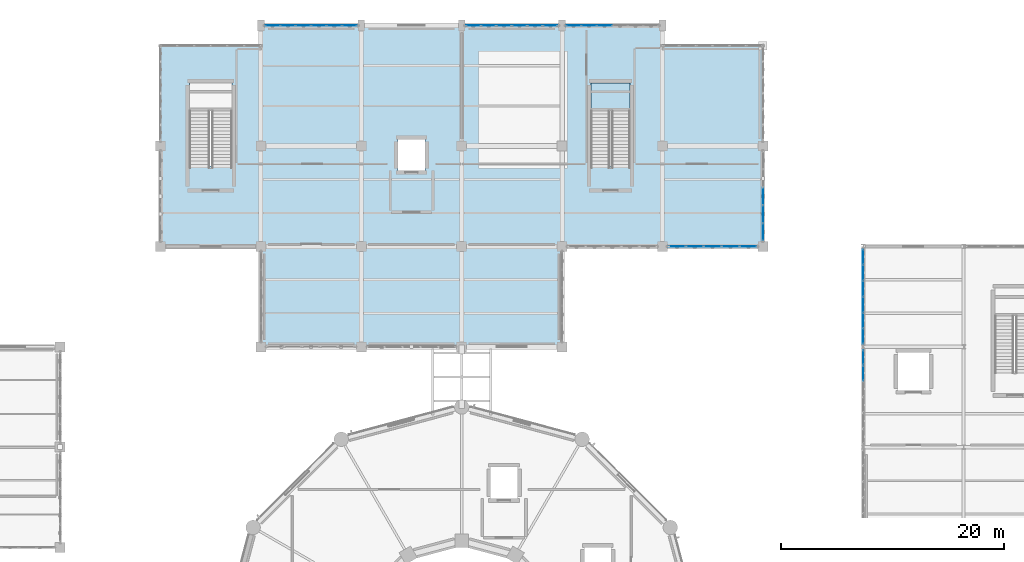
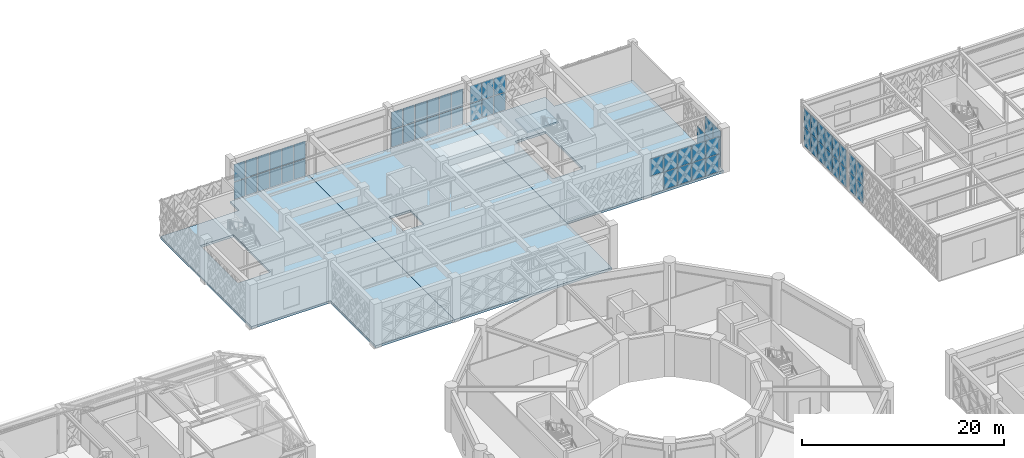
# One storey, part 133 of 166: 60 plates, 4 slabs, 8 elements without a shape of their own.
"""IFC4 building model written with IfcOpenShell, lengths in metres."""

import ifcopenshell
import ifcopenshell.guid

model = None  # the IFC model being written
_history = None  # IfcOwnerHistory: only IFC2X3 demands one
_inside = {}  # id of a spatial element -> (the spatial element, [elements in it])
_under = {}  # id of a project, library or spatial element -> (it, [spatial elements below it])
_declared = {}  # id of a project -> (the project, [libraries it declares])
_typed = {}  # id of a type object -> (the type object, [elements of that type])
_made_of = {}  # id of a material, layer set ... -> (it, [elements and type objects made of it])


def new_model(schema):
    """Start an empty IFC model of exactly this schema.

    Asked for "IFC4X3", IfcOpenShell would pick the latest addendum, in which some entities
    have other attributes; the version numbers below select the first issue.
    IFC2X3 requires an IfcOwnerHistory on every rooted entity: one is made here for all.
    """
    global model, _history
    if schema == "IFC4X3":
        model = ifcopenshell.file(schema_version=(4, 3, 0, 0))
    else:
        model = ifcopenshell.file(schema=schema)
    _inside.clear()
    _under.clear()
    _declared.clear()
    _typed.clear()
    _made_of.clear()
    _history = None
    if model.schema == "IFC2X3":
        org = make("IfcOrganization", Name="unknown")
        user = make(
            "IfcPersonAndOrganization",
            ThePerson=make("IfcPerson", FamilyName="unknown"),
            TheOrganization=org,
        )
        app = make(
            "IfcApplication",
            ApplicationDeveloper=org,
            Version="unknown",
            ApplicationFullName="unknown",
            ApplicationIdentifier="unknown",
        )
        _history = make(
            "IfcOwnerHistory",
            OwningUser=user,
            OwningApplication=app,
            ChangeAction="ADDED",
            CreationDate=0,
        )
    return model


def make(cls, **values):
    """One entity of the class cls with the attributes given. An attribute that is None is left unset."""
    return model.create_entity(
        cls, **{name: value for name, value in values.items() if value is not None}
    )


def rooted(cls, **values):
    """An entity with a GlobalId (a new one), such as an element, a storey or a relation."""
    return make(cls, GlobalId=ifcopenshell.guid.new(), OwnerHistory=_history, **values)


def si_unit(unit_type, name, prefix=None):
    """IfcSIUnit, for example si_unit("LENGTHUNIT", "METRE", prefix="MILLI")."""
    return make("IfcSIUnit", UnitType=unit_type, Prefix=prefix, Name=name)


def assignment(units):
    """IfcUnitAssignment: the units of a project."""
    return None if units is None else make("IfcUnitAssignment", Units=units)


def point(xyz):
    """IfcCartesianPoint."""
    return None if xyz is None else make("IfcCartesianPoint", Coordinates=xyz)


def direction(xyz):
    """IfcDirection."""
    return None if xyz is None else make("IfcDirection", DirectionRatios=xyz)


def frame(location, z_axis=None, x_axis=None):
    """IfcAxis2Placement3D, a coordinate frame: its origin and axes. An axis left out is left unset."""
    return make(
        "IfcAxis2Placement3D",
        Location=point(location),
        Axis=direction(z_axis),
        RefDirection=direction(x_axis),
    )


def frame_2d(location, x_axis=None):
    """IfcAxis2Placement2D, a coordinate frame in the plane: its origin and x axis."""
    return make(
        "IfcAxis2Placement2D", Location=point(location), RefDirection=direction(x_axis)
    )


def origin():
    """The frame at (0, 0, 0) with its axes left unset."""
    return frame((0.0, 0.0, 0.0))


def origin_2d():
    """The frame at (0, 0) in the plane with its x axis left unset."""
    return frame_2d((0.0, 0.0))


def place(relative_to, where):
    """IfcLocalPlacement: puts the frame where relative to a parent placement (None: the world)."""
    return make(
        "IfcLocalPlacement", PlacementRelTo=relative_to, RelativePlacement=where
    )


def context(
    kind, dimensions, precision=None, world=None, true_north=None, identifier=None
):
    """IfcGeometricRepresentationContext, for example the 3D "Model" context."""
    return make(
        "IfcGeometricRepresentationContext",
        ContextIdentifier=identifier,
        ContextType=kind,
        CoordinateSpaceDimension=dimensions,
        Precision=precision,
        WorldCoordinateSystem=world,
        TrueNorth=true_north,
    )


def subcontext(parent, identifier, kind, view, scale=None):
    """IfcGeometricRepresentationSubContext, for example "Body" below "Model"."""
    return make(
        "IfcGeometricRepresentationSubContext",
        ContextIdentifier=identifier,
        ContextType=kind,
        ParentContext=parent,
        TargetScale=scale,
        TargetView=view,
    )


def project(units=None, contexts=None):
    """IfcProject with its units and contexts."""
    return rooted(
        "IfcProject",
        Name="project",
        RepresentationContexts=contexts,
        UnitsInContext=assignment(units),
    )


def spatial(cls, under=None, at=None, **own):
    """A site, building, storey or space (cls), placed at a placement, below another one or the project."""
    s = rooted(cls, ObjectPlacement=at, **own)
    if under is not None:
        _under.setdefault(under.id(), (under, []))[1].append(s)
    return s


def polyline(points):
    """IfcPolyline through the points."""
    return make("IfcPolyline", Points=[point(p) for p in points])


def profile(cls, at=None, kind="AREA", **sizes):
    """A parametric profile (cls). Its sizes go by their IFC names, for example OverallWidth=200.0."""
    return make(cls, ProfileType=kind, Position=at, **sizes)


def rectangle(**sizes):
    """IfcRectangleProfileDef."""
    return profile("IfcRectangleProfileDef", **sizes)


def outline(outer, holes=None, kind="AREA"):
    """IfcArbitraryClosedProfileDef: a profile drawn as a closed curve; with holes, ...WithVoids."""
    if holes is None:
        return make("IfcArbitraryClosedProfileDef", ProfileType=kind, OuterCurve=outer)
    return make(
        "IfcArbitraryProfileDefWithVoids",
        ProfileType=kind,
        OuterCurve=outer,
        InnerCurves=holes,
    )


def extrude(swept, where, along, depth):
    """IfcExtrudedAreaSolid: the profile swept, set in the frame where, extruded along a direction by depth."""
    return make(
        "IfcExtrudedAreaSolid",
        SweptArea=swept,
        Position=where,
        ExtrudedDirection=direction(along),
        Depth=depth,
    )


def shape(context_of_items, identifier, shape_type, items):
    """IfcShapeRepresentation: the items that make up one representation, for example the "Body"."""
    return make(
        "IfcShapeRepresentation",
        ContextOfItems=context_of_items,
        RepresentationIdentifier=identifier,
        RepresentationType=shape_type,
        Items=items,
    )


def material(Name=None, Category=None):
    """IfcMaterial."""
    return make("IfcMaterial", Name=Name, Category=Category)


def layer(
    of_material, thickness, ventilated=None, Name=None, Category=None, Priority=None
):
    """IfcMaterialLayer: one layer of a wall or slab, of a material (None: an air gap)."""
    return make(
        "IfcMaterialLayer",
        Material=of_material,
        LayerThickness=thickness,
        IsVentilated=ventilated,
        Name=Name,
        Category=Category,
        Priority=Priority,
    )


def layer_set(layers, Name=None):
    """IfcMaterialLayerSet."""
    return make("IfcMaterialLayerSet", MaterialLayers=layers, LayerSetName=Name)


def made_of(thing, what):
    """Note that an element or type object is made of a material, layer set ...; save() writes the relation."""
    if what is not None:
        _made_of.setdefault(what.id(), (what, []))[1].append(thing)
    return thing


def type_object(cls, material=None, **own):
    """A type object (cls), such as IfcWallType, which elements share."""
    return made_of(rooted(cls, **own), material)


def element(
    cls,
    number,
    at=None,
    inside=None,
    cuts=None,
    type_object=None,
    material=None,
    context=None,
    identifier="Body",
    shape_type=None,
    held_by="IfcProductDefinitionShape",
    body=None,
    shapes=None,
    **own,
):
    """One element of the class cls, such as IfcWall. Its Tag is "e" and its number.

    at: its placement. inside: the storey or other place that contains it. cuts: it is an
    opening in that element (IfcRelVoidsElement). A single representation is given by context,
    identifier, shape_type and body (its items); several are given by shapes. held_by: the class
    of the entity that holds the representations. save() writes the other relations.
    """
    e = rooted(cls, Tag="e%d" % number, ObjectPlacement=at, **own)
    if body is not None:
        shapes = [shape(context, identifier, shape_type, body)]
    if shapes is not None:
        e.Representation = make(held_by, Representations=shapes)
    if inside is not None:
        _inside.setdefault(inside.id(), (inside, []))[1].append(e)
    if cuts is not None:
        rooted(
            "IfcRelVoidsElement", RelatingBuildingElement=cuts, RelatedOpeningElement=e
        )
    if type_object is not None:
        _typed.setdefault(type_object.id(), (type_object, []))[1].append(e)
    return made_of(e, material)


def aggregate(whole, parts):
    """IfcRelAggregates: a whole, such as a stair, and the parts it consists of."""
    return rooted("IfcRelAggregates", RelatingObject=whole, RelatedObjects=parts)


def save(model, path):
    """Write the relations noted so far, then the file.

    IfcRelAggregates (storeys below a building ...), IfcRelContainedInSpatialStructure (elements
    in a storey), IfcRelDefinesByType, IfcRelAssociatesMaterial and IfcRelDeclares: one each for
    every whole, place, type object, material and project.
    """
    for whole, parts in _under.values():
        aggregate(whole, parts)
    for where, things in _inside.values():
        rooted(
            "IfcRelContainedInSpatialStructure",
            RelatedElements=things,
            RelatingStructure=where,
        )
    for kind, things in _typed.values():
        rooted("IfcRelDefinesByType", RelatedObjects=things, RelatingType=kind)
    for what, things in _made_of.values():
        rooted("IfcRelAssociatesMaterial", RelatedObjects=things, RelatingMaterial=what)
    for by, libraries in _declared.values():
        rooted("IfcRelDeclares", RelatingContext=by, RelatedDefinitions=libraries)
    model.write(path)


model = new_model("IFC4")

# Units and contexts
model_context = context("Model", 3, precision=1e-05, world=origin(), true_north=direction((0.0, 1.0)))
body_context = subcontext(model_context, "Body", "Model", "MODEL_VIEW")
ifc_project = project(units=[si_unit("LENGTHUNIT", "METRE"), si_unit("AREAUNIT", "SQUARE_METRE"), si_unit("VOLUMEUNIT", "CUBIC_METRE"), si_unit("PLANEANGLEUNIT", "RADIAN"), si_unit("MASSUNIT", "GRAM", prefix="KILO")], contexts=[model_context])

# Site, building, storey
site_placement = place(None, origin())
site = spatial("IfcSite", under=ifc_project, at=site_placement, CompositionType="ELEMENT")
building_placement = place(site_placement, origin())
building = spatial("IfcBuilding", under=site, at=building_placement, Name="Haizhuo Lancet Aquarium", CompositionType="ELEMENT")
storey_placement = place(building_placement, frame((0.0, 0.0, 5.39990234375)))
storey = spatial("IfcBuildingStorey", under=building, at=storey_placement, Name="L01", CompositionType="ELEMENT", Elevation=5.39990234375)

# Curtain wall, plates
ifc_material_1 = material(Name="Aluminium 6063-T6", Category="aluminium")
curtain_wall_type_1 = type_object("IfcCurtainWallType", Name="CWD-8310x4390", PredefinedType="NOTDEFINED", material=ifc_material_1)
curtain_wall_1_placement = place(storey_placement, origin())
curtain_wall_1 = element("IfcCurtainWall", 1, at=curtain_wall_1_placement, inside=storey, type_object=curtain_wall_type_1, Name="L01 curtain wall CW-V5-L01-133", PredefinedType="NOTDEFINED")
ifc_material_2 = material(Name="Laminated Low-E Glass", Category="glass")
ifc_layer_1 = layer(ifc_material_2, 0.028076171875)
ifc_layer_set_1 = layer_set([ifc_layer_1], Name="Laminated Low-E Glass")
plate_type_1 = type_object("IfcPlateType", Name="CW-PNL-1", PredefinedType="CURTAIN_PANEL", material=ifc_layer_set_1)
plate_1_placement = place(storey_placement, frame((10.053955078125, 55.800048828125, 0.06494140625), z_axis=(0.0, 0.0, 1.0), x_axis=(1.0, 0.0, 0.0)))
plate_1 = element("IfcPlate", 2, at=plate_1_placement, type_object=plate_type_1, Name="CWD-83x43 panel 1.1", PredefinedType="CURTAIN_PANEL", context=body_context, shape_type="SweptSolid", body=[
    extrude(rectangle(XDim=1.2880859375, YDim=0.028076171875, at=origin_2d()), origin(), (0.0, 0.0, 1.0), 2.097900390625),
])
plate_2_placement = place(storey_placement, frame((10.053955078125, 55.800048828125, 2.2275390625), z_axis=(0.0, 0.0, 1.0), x_axis=(1.0, 0.0, 0.0)))
plate_2 = element("IfcPlate", 3, at=plate_2_placement, type_object=plate_type_1, Name="CWD-83x43 panel 1.2", PredefinedType="CURTAIN_PANEL", context=body_context, shape_type="SweptSolid", body=[
    extrude(rectangle(XDim=1.2880859375, YDim=0.028076171875, at=origin_2d()), origin(), (0.0, 0.0, 1.0), 2.096923828125),
])
plate_3_placement = place(storey_placement, frame((11.422119140625, 55.800048828125, 0.06494140625), z_axis=(0.0, 0.0, 1.0), x_axis=(1.0, 0.0, 0.0)))
plate_3 = element("IfcPlate", 4, at=plate_3_placement, type_object=plate_type_1, Name="CWD-83x43 panel 2.1", PredefinedType="CURTAIN_PANEL", context=body_context, shape_type="SweptSolid", body=[
    extrude(rectangle(XDim=1.320068359375, YDim=0.028076171875, at=origin_2d()), origin(), (0.0, 0.0, 1.0), 2.097900390625),
])
plate_4_placement = place(storey_placement, frame((11.422119140625, 55.800048828125, 2.2275390625), z_axis=(0.0, 0.0, 1.0), x_axis=(1.0, 0.0, 0.0)))
plate_4 = element("IfcPlate", 5, at=plate_4_placement, type_object=plate_type_1, Name="CWD-83x43 panel 2.2", PredefinedType="CURTAIN_PANEL", context=body_context, shape_type="SweptSolid", body=[
    extrude(rectangle(XDim=1.320068359375, YDim=0.028076171875, at=origin_2d()), origin(), (0.0, 0.0, 1.0), 2.096923828125),
])
plate_5_placement = place(storey_placement, frame((12.80810546875, 55.800048828125, 0.06494140625), z_axis=(0.0, 0.0, 1.0), x_axis=(1.0, 0.0, 0.0)))
plate_5 = element("IfcPlate", 6, at=plate_5_placement, type_object=plate_type_1, Name="CWD-83x43 panel 3.1", PredefinedType="CURTAIN_PANEL", context=body_context, shape_type="SweptSolid", body=[
    extrude(rectangle(XDim=1.320068359375, YDim=0.028076171875, at=origin_2d()), origin(), (0.0, 0.0, 1.0), 2.097900390625),
])
plate_6_placement = place(storey_placement, frame((12.80810546875, 55.800048828125, 2.2275390625), z_axis=(0.0, 0.0, 1.0), x_axis=(1.0, 0.0, 0.0)))
plate_6 = element("IfcPlate", 7, at=plate_6_placement, type_object=plate_type_1, Name="CWD-83x43 panel 3.2", PredefinedType="CURTAIN_PANEL", context=body_context, shape_type="SweptSolid", body=[
    extrude(rectangle(XDim=1.320068359375, YDim=0.028076171875, at=origin_2d()), origin(), (0.0, 0.0, 1.0), 2.096923828125),
])
aggregate(curtain_wall_1, [plate_1, plate_2, plate_3, plate_4, plate_5, plate_6])

curtain_wall_type_2 = type_object("IfcCurtainWallType", Name="CWD-8010x4390", PredefinedType="NOTDEFINED", material=ifc_material_1)
curtain_wall_2_placement = place(storey_placement, origin())
curtain_wall_2 = element("IfcCurtainWall", 8, at=curtain_wall_2_placement, inside=storey, type_object=curtain_wall_type_2, Name="L01 curtain wall CW-V5-L01-137", PredefinedType="NOTDEFINED")
plate_7_placement = place(storey_placement, frame((25.68505859375, 36.0, 0.07470703125), z_axis=(0.0, 0.0, 1.0), x_axis=(-1.0, 0.0, 0.0)))
plate_7 = element("IfcPlate", 9, at=plate_7_placement, type_object=plate_type_1, Name="CWD-80x43 panel 1.1", PredefinedType="CURTAIN_PANEL", context=body_context, shape_type="SweptSolid", body=[
    extrude(rectangle(XDim=1.489013671875, YDim=0.028076171875, at=origin_2d()), origin(), (0.0, 0.0, 1.0), 2.0830078125),
])
plate_8_placement = place(storey_placement, frame((25.68505859375, 36.0, 2.232666015625), z_axis=(0.0, 0.0, 1.0), x_axis=(-1.0, 0.0, 0.0)))
plate_8 = element("IfcPlate", 10, at=plate_8_placement, type_object=plate_type_1, Name="CWD-80x43 panel 1.2", PredefinedType="CURTAIN_PANEL", context=body_context, shape_type="SweptSolid", body=[
    extrude(rectangle(XDim=1.489013671875, YDim=0.028076171875, at=origin_2d()), origin(), (0.0, 0.0, 1.0), 2.0830078125),
])
plate_9_placement = place(storey_placement, frame((24.10205078125, 36.0, 0.07470703125), z_axis=(0.0, 0.0, 1.0), x_axis=(-1.0, 0.0, 0.0)))
plate_9 = element("IfcPlate", 11, at=plate_9_placement, type_object=plate_type_1, Name="CWD-80x43 panel 2.1", PredefinedType="CURTAIN_PANEL", context=body_context, shape_type="SweptSolid", body=[
    extrude(rectangle(XDim=1.527099609375, YDim=0.028076171875, at=origin_2d()), origin(), (0.0, 0.0, 1.0), 2.0830078125),
])
plate_10_placement = place(storey_placement, frame((24.10205078125, 36.0, 2.232666015625), z_axis=(0.0, 0.0, 1.0), x_axis=(-1.0, 0.0, 0.0)))
plate_10 = element("IfcPlate", 12, at=plate_10_placement, type_object=plate_type_1, Name="CWD-80x43 panel 2.2", PredefinedType="CURTAIN_PANEL", context=body_context, shape_type="SweptSolid", body=[
    extrude(rectangle(XDim=1.527099609375, YDim=0.028076171875, at=origin_2d()), origin(), (0.0, 0.0, 1.0), 2.0830078125),
])
plate_11_placement = place(storey_placement, frame((22.5, 36.0, 0.07470703125), z_axis=(0.0, 0.0, 1.0), x_axis=(-1.0, 0.0, 0.0)))
plate_11 = element("IfcPlate", 13, at=plate_11_placement, type_object=plate_type_1, Name="CWD-80x43 panel 3.1", PredefinedType="CURTAIN_PANEL", context=body_context, shape_type="SweptSolid", body=[
    extrude(rectangle(XDim=1.527099609375, YDim=0.028076171875, at=origin_2d()), origin(), (0.0, 0.0, 1.0), 2.0830078125),
])
plate_12_placement = place(storey_placement, frame((22.5, 36.0, 2.232666015625), z_axis=(0.0, 0.0, 1.0), x_axis=(-1.0, 0.0, 0.0)))
plate_12 = element("IfcPlate", 14, at=plate_12_placement, type_object=plate_type_1, Name="CWD-80x43 panel 3.2", PredefinedType="CURTAIN_PANEL", context=body_context, shape_type="SweptSolid", body=[
    extrude(rectangle(XDim=1.527099609375, YDim=0.028076171875, at=origin_2d()), origin(), (0.0, 0.0, 1.0), 2.0830078125),
])
plate_13_placement = place(storey_placement, frame((20.89794921875, 36.0, 0.07470703125), z_axis=(0.0, 0.0, 1.0), x_axis=(-1.0, 0.0, 0.0)))
plate_13 = element("IfcPlate", 15, at=plate_13_placement, type_object=plate_type_1, Name="CWD-80x43 panel 4.1", PredefinedType="CURTAIN_PANEL", context=body_context, shape_type="SweptSolid", body=[
    extrude(rectangle(XDim=1.527099609375, YDim=0.028076171875, at=origin_2d()), origin(), (0.0, 0.0, 1.0), 2.0830078125),
])
plate_14_placement = place(storey_placement, frame((20.89794921875, 36.0, 2.232666015625), z_axis=(0.0, 0.0, 1.0), x_axis=(-1.0, 0.0, 0.0)))
plate_14 = element("IfcPlate", 16, at=plate_14_placement, type_object=plate_type_1, Name="CWD-80x43 panel 4.2", PredefinedType="CURTAIN_PANEL", context=body_context, shape_type="SweptSolid", body=[
    extrude(rectangle(XDim=1.527099609375, YDim=0.028076171875, at=origin_2d()), origin(), (0.0, 0.0, 1.0), 2.0830078125),
])
plate_15_placement = place(storey_placement, frame((19.31494140625, 36.0, 2.232666015625), z_axis=(0.0, 0.0, 1.0), x_axis=(-1.0, 0.0, 0.0)))
plate_15 = element("IfcPlate", 17, at=plate_15_placement, type_object=plate_type_1, Name="CWD-80x43 panel 5.2", PredefinedType="CURTAIN_PANEL", context=body_context, shape_type="SweptSolid", body=[
    extrude(rectangle(XDim=1.489990234375, YDim=0.028076171875, at=origin_2d()), origin(), (0.0, 0.0, 1.0), 2.0830078125),
])
aggregate(curtain_wall_2, [plate_7, plate_8, plate_9, plate_10, plate_11, plate_12, plate_13, plate_14, plate_15])

curtain_wall_type_3 = type_object("IfcCurtainWallType", Name="CWD-8560x4650", PredefinedType="NOTDEFINED", material=ifc_material_1)
curtain_wall_3_placement = place(storey_placement, origin())
curtain_wall_3 = element("IfcCurtainWall", 18, at=curtain_wall_3_placement, inside=storey, type_object=curtain_wall_type_3, Name="L01 curtain wall CW-V7-L01-294", PredefinedType="NOTDEFINED")
ifc_layer_2 = layer(ifc_material_2, 0.033935546875)
ifc_layer_set_2 = layer_set([ifc_layer_2], Name="Laminated Low-E Glass")
plate_type_2 = type_object("IfcPlateType", Name="CW-PNL-2", PredefinedType="CURTAIN_PANEL", material=ifc_layer_set_2)
plate_16_placement = place(storey_placement, frame((36.0, 24.639892578125, 0.080078125), z_axis=(0.0, 0.0, 1.0), x_axis=(0.0, 1.0, 0.0)))
plate_16 = element("IfcPlate", 19, at=plate_16_placement, type_object=plate_type_2, Name="CWD-85x46 panel 5.1", PredefinedType="CURTAIN_PANEL", context=body_context, shape_type="SweptSolid", body=[
    extrude(rectangle(XDim=1.346923828125, YDim=0.033935546875, at=origin_2d()), origin(), (0.0, 0.0, 1.0), 2.2060546875),
])
plate_17_placement = place(storey_placement, frame((36.0, 24.639892578125, 2.365966796875), z_axis=(0.0, 0.0, 1.0), x_axis=(0.0, 1.0, 0.0)))
plate_17 = element("IfcPlate", 20, at=plate_17_placement, type_object=plate_type_2, Name="CWD-85x46 panel 5.2", PredefinedType="CURTAIN_PANEL", context=body_context, shape_type="SweptSolid", body=[
    extrude(rectangle(XDim=1.346923828125, YDim=0.033935546875, at=origin_2d()), origin(), (0.0, 0.0, 1.0), 2.2060546875),
])
plate_18_placement = place(storey_placement, frame((36.0, 26.047119140625, 0.080078125), z_axis=(0.0, 0.0, 1.0), x_axis=(0.0, 1.0, 0.0)))
plate_18 = element("IfcPlate", 21, at=plate_18_placement, type_object=plate_type_2, Name="CWD-85x46 panel 6.1", PredefinedType="CURTAIN_PANEL", context=body_context, shape_type="SweptSolid", body=[
    extrude(rectangle(XDim=1.306884765625, YDim=0.033935546875, at=origin_2d()), origin(), (0.0, 0.0, 1.0), 2.2060546875),
])
plate_19_placement = place(storey_placement, frame((36.0, 26.047119140625, 2.365966796875), z_axis=(0.0, 0.0, 1.0), x_axis=(0.0, 1.0, 0.0)))
plate_19 = element("IfcPlate", 22, at=plate_19_placement, type_object=plate_type_2, Name="CWD-85x46 panel 6.2", PredefinedType="CURTAIN_PANEL", context=body_context, shape_type="SweptSolid", body=[
    extrude(rectangle(XDim=1.306884765625, YDim=0.033935546875, at=origin_2d()), origin(), (0.0, 0.0, 1.0), 2.2060546875),
])
aggregate(curtain_wall_3, [plate_16, plate_17, plate_18, plate_19])

curtain_wall_4_placement = place(storey_placement, origin())
curtain_wall_4 = element("IfcCurtainWall", 23, at=curtain_wall_4_placement, inside=storey, type_object=curtain_wall_type_1, Name="L01 curtain wall CW-V5-L01-131", PredefinedType="NOTDEFINED")
ifc_layer_3 = layer(ifc_material_2, 0.0419921875)
ifc_layer_set_3 = layer_set([ifc_layer_3], Name="Laminated Low-E Glass")
plate_type_3 = type_object("IfcPlateType", Name="CW-PNL-3", PredefinedType="CURTAIN_PANEL", material=ifc_layer_set_3)
plate_20_placement = place(storey_placement, frame((-16.944091796875, 55.800048828125, 0.07470703125), z_axis=(0.0, 0.0, 1.0), x_axis=(1.0, 0.0, 0.0)))
plate_20 = element("IfcPlate", 24, at=plate_20_placement, type_object=plate_type_3, Name="CWD-83x43 panel 1.1", PredefinedType="CURTAIN_PANEL", context=body_context, shape_type="SweptSolid", body=[
    extrude(rectangle(XDim=1.27197265625, YDim=0.0419921875, at=origin_2d()), origin(), (0.0, 0.0, 1.0), 2.0830078125),
])
plate_21_placement = place(storey_placement, frame((-16.944091796875, 55.800048828125, 2.232666015625), z_axis=(0.0, 0.0, 1.0), x_axis=(1.0, 0.0, 0.0)))
plate_21 = element("IfcPlate", 25, at=plate_21_placement, type_object=plate_type_3, Name="CWD-83x43 panel 1.2", PredefinedType="CURTAIN_PANEL", context=body_context, shape_type="SweptSolid", body=[
    extrude(rectangle(XDim=1.27197265625, YDim=0.0419921875, at=origin_2d()), origin(), (0.0, 0.0, 1.0), 2.0830078125),
])
plate_22_placement = place(storey_placement, frame((-15.577880859375, 55.800048828125, 0.07470703125), z_axis=(0.0, 0.0, 1.0), x_axis=(1.0, 0.0, 0.0)))
plate_22 = element("IfcPlate", 26, at=plate_22_placement, type_object=plate_type_3, Name="CWD-83x43 panel 2.1", PredefinedType="CURTAIN_PANEL", context=body_context, shape_type="SweptSolid", body=[
    extrude(rectangle(XDim=1.31005859375, YDim=0.0419921875, at=origin_2d()), origin(), (0.0, 0.0, 1.0), 2.0830078125),
])
plate_23_placement = place(storey_placement, frame((-15.577880859375, 55.800048828125, 2.232666015625), z_axis=(0.0, 0.0, 1.0), x_axis=(1.0, 0.0, 0.0)))
plate_23 = element("IfcPlate", 27, at=plate_23_placement, type_object=plate_type_3, Name="CWD-83x43 panel 2.2", PredefinedType="CURTAIN_PANEL", context=body_context, shape_type="SweptSolid", body=[
    extrude(rectangle(XDim=1.31005859375, YDim=0.0419921875, at=origin_2d()), origin(), (0.0, 0.0, 1.0), 2.0830078125),
])
plate_24_placement = place(storey_placement, frame((-14.193115234375, 55.800048828125, 0.07470703125), z_axis=(0.0, 0.0, 1.0), x_axis=(1.0, 0.0, 0.0)))
plate_24 = element("IfcPlate", 28, at=plate_24_placement, type_object=plate_type_3, Name="CWD-83x43 panel 3.1", PredefinedType="CURTAIN_PANEL", context=body_context, shape_type="SweptSolid", body=[
    extrude(rectangle(XDim=1.31005859375, YDim=0.0419921875, at=origin_2d()), origin(), (0.0, 0.0, 1.0), 2.0830078125),
])
plate_25_placement = place(storey_placement, frame((-14.193115234375, 55.800048828125, 2.232666015625), z_axis=(0.0, 0.0, 1.0), x_axis=(1.0, 0.0, 0.0)))
plate_25 = element("IfcPlate", 29, at=plate_25_placement, type_object=plate_type_3, Name="CWD-83x43 panel 3.2", PredefinedType="CURTAIN_PANEL", context=body_context, shape_type="SweptSolid", body=[
    extrude(rectangle(XDim=1.31005859375, YDim=0.0419921875, at=origin_2d()), origin(), (0.0, 0.0, 1.0), 2.0830078125),
])
plate_26_placement = place(storey_placement, frame((-12.80810546875, 55.800048828125, 0.07470703125), z_axis=(0.0, 0.0, 1.0), x_axis=(1.0, 0.0, 0.0)))
plate_26 = element("IfcPlate", 30, at=plate_26_placement, type_object=plate_type_3, Name="CWD-83x43 panel 4.1", PredefinedType="CURTAIN_PANEL", context=body_context, shape_type="SweptSolid", body=[
    extrude(rectangle(XDim=1.31005859375, YDim=0.0419921875, at=origin_2d()), origin(), (0.0, 0.0, 1.0), 2.0830078125),
])
plate_27_placement = place(storey_placement, frame((-12.80810546875, 55.800048828125, 2.232666015625), z_axis=(0.0, 0.0, 1.0), x_axis=(1.0, 0.0, 0.0)))
plate_27 = element("IfcPlate", 31, at=plate_27_placement, type_object=plate_type_3, Name="CWD-83x43 panel 4.2", PredefinedType="CURTAIN_PANEL", context=body_context, shape_type="SweptSolid", body=[
    extrude(rectangle(XDim=1.31005859375, YDim=0.0419921875, at=origin_2d()), origin(), (0.0, 0.0, 1.0), 2.0830078125),
])
plate_28_placement = place(storey_placement, frame((-11.423095703125, 55.800048828125, 0.07470703125), z_axis=(0.0, 0.0, 1.0), x_axis=(1.0, 0.0, 0.0)))
plate_28 = element("IfcPlate", 32, at=plate_28_placement, type_object=plate_type_3, Name="CWD-83x43 panel 5.1", PredefinedType="CURTAIN_PANEL", context=body_context, shape_type="SweptSolid", body=[
    extrude(rectangle(XDim=1.31005859375, YDim=0.0419921875, at=origin_2d()), origin(), (0.0, 0.0, 1.0), 2.0830078125),
])
plate_29_placement = place(storey_placement, frame((-11.423095703125, 55.800048828125, 2.232666015625), z_axis=(0.0, 0.0, 1.0), x_axis=(1.0, 0.0, 0.0)))
plate_29 = element("IfcPlate", 33, at=plate_29_placement, type_object=plate_type_3, Name="CWD-83x43 panel 5.2", PredefinedType="CURTAIN_PANEL", context=body_context, shape_type="SweptSolid", body=[
    extrude(rectangle(XDim=1.31005859375, YDim=0.0419921875, at=origin_2d()), origin(), (0.0, 0.0, 1.0), 2.0830078125),
])
plate_30_placement = place(storey_placement, frame((-10.055908203125, 55.800048828125, 0.07470703125), z_axis=(0.0, 0.0, 1.0), x_axis=(1.0, 0.0, 0.0)))
plate_30 = element("IfcPlate", 34, at=plate_30_placement, type_object=plate_type_3, Name="CWD-83x43 panel 6.1", PredefinedType="CURTAIN_PANEL", context=body_context, shape_type="SweptSolid", body=[
    extrude(rectangle(XDim=1.27294921875, YDim=0.0419921875, at=origin_2d()), origin(), (0.0, 0.0, 1.0), 2.0830078125),
])
plate_31_placement = place(storey_placement, frame((-10.055908203125, 55.800048828125, 2.232666015625), z_axis=(0.0, 0.0, 1.0), x_axis=(1.0, 0.0, 0.0)))
plate_31 = element("IfcPlate", 35, at=plate_31_placement, type_object=plate_type_3, Name="CWD-83x43 panel 6.2", PredefinedType="CURTAIN_PANEL", context=body_context, shape_type="SweptSolid", body=[
    extrude(rectangle(XDim=1.27294921875, YDim=0.0419921875, at=origin_2d()), origin(), (0.0, 0.0, 1.0), 2.0830078125),
])
aggregate(curtain_wall_4, [plate_20, plate_21, plate_22, plate_23, plate_24, plate_25, plate_26, plate_27, plate_28, plate_29, plate_30, plate_31])

curtain_wall_5_placement = place(storey_placement, origin())
curtain_wall_5 = element("IfcCurtainWall", 36, at=curtain_wall_5_placement, inside=storey, type_object=curtain_wall_type_3, Name="L01 curtain wall CW-V7-L01-295", PredefinedType="NOTDEFINED")
plate_32_placement = place(storey_placement, frame((36.0, 27.949951171875, 0.064697265625), z_axis=(0.0, 0.0, 1.0), x_axis=(0.0, 1.0, 0.0)))
plate_32 = element("IfcPlate", 37, at=plate_32_placement, type_object=plate_type_3, Name="CWD-85x46 panel 1.1", PredefinedType="CURTAIN_PANEL", context=body_context, shape_type="SweptSolid", body=[
    extrude(rectangle(XDim=1.3291015625, YDim=0.0419921875, at=origin_2d()), origin(), (0.0, 0.0, 1.0), 2.22900390625),
])
plate_33_placement = place(storey_placement, frame((36.0, 27.949951171875, 2.359130859375), z_axis=(0.0, 0.0, 1.0), x_axis=(0.0, 1.0, 0.0)))
plate_33 = element("IfcPlate", 38, at=plate_33_placement, type_object=plate_type_3, Name="CWD-85x46 panel 1.2", PredefinedType="CURTAIN_PANEL", context=body_context, shape_type="SweptSolid", body=[
    extrude(rectangle(XDim=1.3291015625, YDim=0.0419921875, at=origin_2d()), origin(), (0.0, 0.0, 1.0), 2.22802734375),
])
plate_34_placement = place(storey_placement, frame((36.0, 29.360107421875, 0.064697265625), z_axis=(0.0, 0.0, 1.0), x_axis=(0.0, 1.0, 0.0)))
plate_34 = element("IfcPlate", 39, at=plate_34_placement, type_object=plate_type_3, Name="CWD-85x46 panel 2.1", PredefinedType="CURTAIN_PANEL", context=body_context, shape_type="SweptSolid", body=[
    extrude(rectangle(XDim=1.362060546875, YDim=0.0419921875, at=origin_2d()), origin(), (0.0, 0.0, 1.0), 2.22900390625),
])
plate_35_placement = place(storey_placement, frame((36.0, 29.360107421875, 2.359130859375), z_axis=(0.0, 0.0, 1.0), x_axis=(0.0, 1.0, 0.0)))
plate_35 = element("IfcPlate", 40, at=plate_35_placement, type_object=plate_type_3, Name="CWD-85x46 panel 2.2", PredefinedType="CURTAIN_PANEL", context=body_context, shape_type="SweptSolid", body=[
    extrude(rectangle(XDim=1.362060546875, YDim=0.0419921875, at=origin_2d()), origin(), (0.0, 0.0, 1.0), 2.22802734375),
])
plate_36_placement = place(storey_placement, frame((36.0, 30.787109375, 0.064697265625), z_axis=(0.0, 0.0, 1.0), x_axis=(0.0, 1.0, 0.0)))
plate_36 = element("IfcPlate", 41, at=plate_36_placement, type_object=plate_type_3, Name="CWD-85x46 panel 3.1", PredefinedType="CURTAIN_PANEL", context=body_context, shape_type="SweptSolid", body=[
    extrude(rectangle(XDim=1.362060546875, YDim=0.0419921875, at=origin_2d()), origin(), (0.0, 0.0, 1.0), 2.22900390625),
])
plate_37_placement = place(storey_placement, frame((36.0, 30.787109375, 2.359130859375), z_axis=(0.0, 0.0, 1.0), x_axis=(0.0, 1.0, 0.0)))
plate_37 = element("IfcPlate", 42, at=plate_37_placement, type_object=plate_type_3, Name="CWD-85x46 panel 3.2", PredefinedType="CURTAIN_PANEL", context=body_context, shape_type="SweptSolid", body=[
    extrude(rectangle(XDim=1.362060546875, YDim=0.0419921875, at=origin_2d()), origin(), (0.0, 0.0, 1.0), 2.22802734375),
])
plate_38_placement = place(storey_placement, frame((36.0, 32.212890625, 0.064697265625), z_axis=(0.0, 0.0, 1.0), x_axis=(0.0, 1.0, 0.0)))
plate_38 = element("IfcPlate", 43, at=plate_38_placement, type_object=plate_type_3, Name="CWD-85x46 panel 4.1", PredefinedType="CURTAIN_PANEL", context=body_context, shape_type="SweptSolid", body=[
    extrude(rectangle(XDim=1.362060546875, YDim=0.0419921875, at=origin_2d()), origin(), (0.0, 0.0, 1.0), 2.22900390625),
])
plate_39_placement = place(storey_placement, frame((36.0, 32.212890625, 2.359130859375), z_axis=(0.0, 0.0, 1.0), x_axis=(0.0, 1.0, 0.0)))
plate_39 = element("IfcPlate", 44, at=plate_39_placement, type_object=plate_type_3, Name="CWD-85x46 panel 4.2", PredefinedType="CURTAIN_PANEL", context=body_context, shape_type="SweptSolid", body=[
    extrude(rectangle(XDim=1.362060546875, YDim=0.0419921875, at=origin_2d()), origin(), (0.0, 0.0, 1.0), 2.22802734375),
])
plate_40_placement = place(storey_placement, frame((36.0, 33.639892578125, 0.064697265625), z_axis=(0.0, 0.0, 1.0), x_axis=(0.0, 1.0, 0.0)))
plate_40 = element("IfcPlate", 45, at=plate_40_placement, type_object=plate_type_3, Name="CWD-85x46 panel 5.1", PredefinedType="CURTAIN_PANEL", context=body_context, shape_type="SweptSolid", body=[
    extrude(rectangle(XDim=1.362060546875, YDim=0.0419921875, at=origin_2d()), origin(), (0.0, 0.0, 1.0), 2.22900390625),
])
plate_41_placement = place(storey_placement, frame((36.0, 33.639892578125, 2.359130859375), z_axis=(0.0, 0.0, 1.0), x_axis=(0.0, 1.0, 0.0)))
plate_41 = element("IfcPlate", 46, at=plate_41_placement, type_object=plate_type_3, Name="CWD-85x46 panel 5.2", PredefinedType="CURTAIN_PANEL", context=body_context, shape_type="SweptSolid", body=[
    extrude(rectangle(XDim=1.362060546875, YDim=0.0419921875, at=origin_2d()), origin(), (0.0, 0.0, 1.0), 2.22802734375),
])
plate_42_placement = place(storey_placement, frame((36.0, 35.050048828125, 0.064697265625), z_axis=(0.0, 0.0, 1.0), x_axis=(0.0, 1.0, 0.0)))
plate_42 = element("IfcPlate", 47, at=plate_42_placement, type_object=plate_type_3, Name="CWD-85x46 panel 6.1", PredefinedType="CURTAIN_PANEL", context=body_context, shape_type="SweptSolid", body=[
    extrude(rectangle(XDim=1.3291015625, YDim=0.0419921875, at=origin_2d()), origin(), (0.0, 0.0, 1.0), 2.22900390625),
])
plate_43_placement = place(storey_placement, frame((36.0, 35.050048828125, 2.359130859375), z_axis=(0.0, 0.0, 1.0), x_axis=(0.0, 1.0, 0.0)))
plate_43 = element("IfcPlate", 48, at=plate_43_placement, type_object=plate_type_3, Name="CWD-85x46 panel 6.2", PredefinedType="CURTAIN_PANEL", context=body_context, shape_type="SweptSolid", body=[
    extrude(rectangle(XDim=1.3291015625, YDim=0.0419921875, at=origin_2d()), origin(), (0.0, 0.0, 1.0), 2.22802734375),
])
aggregate(curtain_wall_5, [plate_32, plate_33, plate_34, plate_35, plate_36, plate_37, plate_38, plate_39, plate_40, plate_41, plate_42, plate_43])

curtain_wall_6_placement = place(storey_placement, origin())
curtain_wall_6 = element("IfcCurtainWall", 49, at=curtain_wall_6_placement, inside=storey, type_object=curtain_wall_type_1, Name="L01 curtain wall CW-V5-L01-132", PredefinedType="NOTDEFINED")
ifc_layer_4 = layer(ifc_material_2, 0.052001953125)
ifc_layer_set_4 = layer_set([ifc_layer_4], Name="Laminated Low-E Glass")
plate_type_4 = type_object("IfcPlateType", Name="CW-PNL-4", PredefinedType="CURTAIN_PANEL", material=ifc_layer_set_4)
plate_44_placement = place(storey_placement, frame((1.056884765625, 55.800048828125, 0.08056640625), z_axis=(0.0, 0.0, 1.0), x_axis=(1.0, 0.0, 0.0)))
plate_44 = element("IfcPlate", 50, at=plate_44_placement, type_object=plate_type_4, Name="CWD-83x43 panel 1.1", PredefinedType="CURTAIN_PANEL", context=body_context, shape_type="SweptSolid", body=[
    extrude(rectangle(XDim=1.264892578125, YDim=0.052001953125, at=origin_2d()), origin(), (0.0, 0.0, 1.0), 2.074951171875),
])
plate_45_placement = place(storey_placement, frame((1.056884765625, 55.800048828125, 2.23486328125), z_axis=(0.0, 0.0, 1.0), x_axis=(1.0, 0.0, 0.0)))
plate_45 = element("IfcPlate", 51, at=plate_45_placement, type_object=plate_type_4, Name="CWD-83x43 panel 1.2", PredefinedType="CURTAIN_PANEL", context=body_context, shape_type="SweptSolid", body=[
    extrude(rectangle(XDim=1.264892578125, YDim=0.052001953125, at=origin_2d()), origin(), (0.0, 0.0, 1.0), 2.074951171875),
])
plate_46_placement = place(storey_placement, frame((2.422119140625, 55.800048828125, 0.08056640625), z_axis=(0.0, 0.0, 1.0), x_axis=(1.0, 0.0, 0.0)))
plate_46 = element("IfcPlate", 52, at=plate_46_placement, type_object=plate_type_4, Name="CWD-83x43 panel 2.1", PredefinedType="CURTAIN_PANEL", context=body_context, shape_type="SweptSolid", body=[
    extrude(rectangle(XDim=1.304931640625, YDim=0.052001953125, at=origin_2d()), origin(), (0.0, 0.0, 1.0), 2.074951171875),
])
plate_47_placement = place(storey_placement, frame((2.422119140625, 55.800048828125, 2.23486328125), z_axis=(0.0, 0.0, 1.0), x_axis=(1.0, 0.0, 0.0)))
plate_47 = element("IfcPlate", 53, at=plate_47_placement, type_object=plate_type_4, Name="CWD-83x43 panel 2.2", PredefinedType="CURTAIN_PANEL", context=body_context, shape_type="SweptSolid", body=[
    extrude(rectangle(XDim=1.304931640625, YDim=0.052001953125, at=origin_2d()), origin(), (0.0, 0.0, 1.0), 2.074951171875),
])
plate_48_placement = place(storey_placement, frame((3.806884765625, 55.800048828125, 0.08056640625), z_axis=(0.0, 0.0, 1.0), x_axis=(1.0, 0.0, 0.0)))
plate_48 = element("IfcPlate", 54, at=plate_48_placement, type_object=plate_type_4, Name="CWD-83x43 panel 3.1", PredefinedType="CURTAIN_PANEL", context=body_context, shape_type="SweptSolid", body=[
    extrude(rectangle(XDim=1.304931640625, YDim=0.052001953125, at=origin_2d()), origin(), (0.0, 0.0, 1.0), 2.074951171875),
])
plate_49_placement = place(storey_placement, frame((3.806884765625, 55.800048828125, 2.23486328125), z_axis=(0.0, 0.0, 1.0), x_axis=(1.0, 0.0, 0.0)))
plate_49 = element("IfcPlate", 55, at=plate_49_placement, type_object=plate_type_4, Name="CWD-83x43 panel 3.2", PredefinedType="CURTAIN_PANEL", context=body_context, shape_type="SweptSolid", body=[
    extrude(rectangle(XDim=1.304931640625, YDim=0.052001953125, at=origin_2d()), origin(), (0.0, 0.0, 1.0), 2.074951171875),
])
plate_50_placement = place(storey_placement, frame((5.19189453125, 55.800048828125, 0.08056640625), z_axis=(0.0, 0.0, 1.0), x_axis=(1.0, 0.0, 0.0)))
plate_50 = element("IfcPlate", 56, at=plate_50_placement, type_object=plate_type_4, Name="CWD-83x43 panel 4.1", PredefinedType="CURTAIN_PANEL", context=body_context, shape_type="SweptSolid", body=[
    extrude(rectangle(XDim=1.304931640625, YDim=0.052001953125, at=origin_2d()), origin(), (0.0, 0.0, 1.0), 2.074951171875),
])
plate_51_placement = place(storey_placement, frame((5.19189453125, 55.800048828125, 2.23486328125), z_axis=(0.0, 0.0, 1.0), x_axis=(1.0, 0.0, 0.0)))
plate_51 = element("IfcPlate", 57, at=plate_51_placement, type_object=plate_type_4, Name="CWD-83x43 panel 4.2", PredefinedType="CURTAIN_PANEL", context=body_context, shape_type="SweptSolid", body=[
    extrude(rectangle(XDim=1.304931640625, YDim=0.052001953125, at=origin_2d()), origin(), (0.0, 0.0, 1.0), 2.074951171875),
])
plate_52_placement = place(storey_placement, frame((6.576904296875, 55.800048828125, 0.08056640625), z_axis=(0.0, 0.0, 1.0), x_axis=(1.0, 0.0, 0.0)))
plate_52 = element("IfcPlate", 58, at=plate_52_placement, type_object=plate_type_4, Name="CWD-83x43 panel 5.1", PredefinedType="CURTAIN_PANEL", context=body_context, shape_type="SweptSolid", body=[
    extrude(rectangle(XDim=1.304931640625, YDim=0.052001953125, at=origin_2d()), origin(), (0.0, 0.0, 1.0), 2.074951171875),
])
plate_53_placement = place(storey_placement, frame((6.576904296875, 55.800048828125, 2.23486328125), z_axis=(0.0, 0.0, 1.0), x_axis=(1.0, 0.0, 0.0)))
plate_53 = element("IfcPlate", 59, at=plate_53_placement, type_object=plate_type_4, Name="CWD-83x43 panel 5.2", PredefinedType="CURTAIN_PANEL", context=body_context, shape_type="SweptSolid", body=[
    extrude(rectangle(XDim=1.304931640625, YDim=0.052001953125, at=origin_2d()), origin(), (0.0, 0.0, 1.0), 2.074951171875),
])
plate_54_placement = place(storey_placement, frame((7.94189453125, 55.800048828125, 0.08056640625), z_axis=(0.0, 0.0, 1.0), x_axis=(1.0, 0.0, 0.0)))
plate_54 = element("IfcPlate", 60, at=plate_54_placement, type_object=plate_type_4, Name="CWD-83x43 panel 6.1", PredefinedType="CURTAIN_PANEL", context=body_context, shape_type="SweptSolid", body=[
    extrude(rectangle(XDim=1.264892578125, YDim=0.052001953125, at=origin_2d()), origin(), (0.0, 0.0, 1.0), 2.074951171875),
])
plate_55_placement = place(storey_placement, frame((7.94189453125, 55.800048828125, 2.23486328125), z_axis=(0.0, 0.0, 1.0), x_axis=(1.0, 0.0, 0.0)))
plate_55 = element("IfcPlate", 61, at=plate_55_placement, type_object=plate_type_4, Name="CWD-83x43 panel 6.2", PredefinedType="CURTAIN_PANEL", context=body_context, shape_type="SweptSolid", body=[
    extrude(rectangle(XDim=1.264892578125, YDim=0.052001953125, at=origin_2d()), origin(), (0.0, 0.0, 1.0), 2.074951171875),
])
aggregate(curtain_wall_6, [plate_44, plate_45, plate_46, plate_47, plate_48, plate_49, plate_50, plate_51, plate_52, plate_53, plate_54, plate_55])

curtain_wall_type_4 = type_object("IfcCurtainWallType", Name="CWD-8010x4440", PredefinedType="NOTDEFINED", material=ifc_material_1)
curtain_wall_7_placement = place(storey_placement, origin())
curtain_wall_7 = element("IfcCurtainWall", 62, at=curtain_wall_7_placement, inside=storey, type_object=curtain_wall_type_4, Name="L01 curtain wall CW-V5-L01-136", PredefinedType="NOTDEFINED")
plate_56_placement = place(storey_placement, frame((27.0, 40.5, 0.064453125), z_axis=(0.0, 0.0, 1.0), x_axis=(0.0, -1.0, 0.0)))
plate_56 = element("IfcPlate", 63, at=plate_56_placement, type_object=plate_type_4, Name="CWD-80x44 panel 3.1", PredefinedType="CURTAIN_PANEL", context=body_context, shape_type="SweptSolid", body=[
    extrude(rectangle(XDim=1.537109375, YDim=0.052001953125, at=origin_2d()), origin(), (0.0, 0.0, 1.0), 2.123046875),
])
plate_57_placement = place(storey_placement, frame((27.0, 38.89794921875, 0.064453125), z_axis=(0.0, 0.0, 1.0), x_axis=(0.0, -1.0, 0.0)))
plate_57 = element("IfcPlate", 64, at=plate_57_placement, type_object=plate_type_4, Name="CWD-80x44 panel 4.1", PredefinedType="CURTAIN_PANEL", context=body_context, shape_type="SweptSolid", body=[
    extrude(rectangle(XDim=1.537109375, YDim=0.052001953125, at=origin_2d()), origin(), (0.0, 0.0, 1.0), 2.123046875),
])
plate_58_placement = place(storey_placement, frame((27.0, 38.89794921875, 2.253173828125), z_axis=(0.0, 0.0, 1.0), x_axis=(0.0, -1.0, 0.0)))
plate_58 = element("IfcPlate", 65, at=plate_58_placement, type_object=plate_type_4, Name="CWD-80x44 panel 4.2", PredefinedType="CURTAIN_PANEL", context=body_context, shape_type="SweptSolid", body=[
    extrude(rectangle(XDim=1.537109375, YDim=0.052001953125, at=origin_2d()), origin(), (0.0, 0.0, 1.0), 2.1220703125),
])
plate_59_placement = place(storey_placement, frame((27.0, 37.31201171875, 0.064453125), z_axis=(0.0, 0.0, 1.0), x_axis=(0.0, -1.0, 0.0)))
plate_59 = element("IfcPlate", 66, at=plate_59_placement, type_object=plate_type_4, Name="CWD-80x44 panel 5.1", PredefinedType="CURTAIN_PANEL", context=body_context, shape_type="SweptSolid", body=[
    extrude(rectangle(XDim=1.5048828125, YDim=0.052001953125, at=origin_2d()), origin(), (0.0, 0.0, 1.0), 2.123046875),
])
plate_60_placement = place(storey_placement, frame((27.0, 37.31201171875, 2.253173828125), z_axis=(0.0, 0.0, 1.0), x_axis=(0.0, -1.0, 0.0)))
plate_60 = element("IfcPlate", 67, at=plate_60_placement, type_object=plate_type_4, Name="CWD-80x44 panel 5.2", PredefinedType="CURTAIN_PANEL", context=body_context, shape_type="SweptSolid", body=[
    extrude(rectangle(XDim=1.5048828125, YDim=0.052001953125, at=origin_2d()), origin(), (0.0, 0.0, 1.0), 2.1220703125),
])
aggregate(curtain_wall_7, [plate_56, plate_57, plate_58, plate_59, plate_60])

# Slabs
ifc_material_3 = material(Name="Concrete C40/50", Category="concrete")
ifc_layer_5 = layer(ifc_material_3, 0.280029296875)
ifc_layer_set_5 = layer_set([ifc_layer_5], Name="Concrete C40/50")
slab_type_1 = type_object("IfcSlabType", Name="SLB-HEAVY-280", PredefinedType="FLOOR", material=ifc_layer_set_5)
slab_1_placement = place(storey_placement, frame((0.0, 0.0, -0.27978515625)))
element("IfcSlab", 68, at=slab_1_placement, inside=storey, type_object=slab_type_1, Name="L01 structural slab SL-L01-V5-01", PredefinedType="FLOOR", context=body_context, shape_type="SweptSolid", body=[
    extrude(outline(polyline([(-9.0, 27.0), (-9.0, 55.800048828125), (-18.0, 55.800048828125), (-18.0, 54.0), (-27.0, 54.0), (-27.0, 36.0), (-18.0, 36.0), (-18.0, 27.0), (-9.0, 27.0)]), holes=[polyline([(-20.60009765625, 43.22998046875), (-20.60009765625, 50.64990234375), (-24.39990234375, 50.64990234375), (-24.39990234375, 43.22998046875), (-20.60009765625, 43.22998046875)])]), origin(), (0.0, 0.0, 1.0), 0.27978515625),
])
slab_2_placement = place(storey_placement, frame((0.0, 0.0, -0.27978515625)))
element("IfcSlab", 69, at=slab_2_placement, inside=storey, type_object=slab_type_1, Name="L01 structural slab SL-L01-V5-02", PredefinedType="FLOOR", context=body_context, shape_type="SweptSolid", body=[
    extrude(outline(polyline([(9.0, 55.800048828125), (-9.0, 55.800048828125), (-9.0, 27.0), (9.0, 27.0), (9.0, 55.800048828125)]), holes=[polyline([(-5.699951171875, 42.800048828125), (-3.300048828125, 42.800048828125), (-3.300048828125, 45.60009765625), (-5.699951171875, 45.60009765625), (-5.699951171875, 42.800048828125)])]), origin(), (0.0, 0.0, 1.0), 0.27978515625),
])
slab_3_placement = place(storey_placement, frame((0.0, 0.0, -0.27978515625)))
element("IfcSlab", 70, at=slab_3_placement, inside=storey, type_object=slab_type_1, Name="L01 structural slab SL-L01-V5-03", PredefinedType="FLOOR", context=body_context, shape_type="SweptSolid", body=[
    extrude(outline(polyline([(18.0, 55.800048828125), (9.0, 55.800048828125), (9.0, 36.0), (27.0, 36.0), (27.0, 54.0), (18.0, 54.0), (18.0, 55.800048828125)]), holes=[polyline([(11.60009765625, 43.22998046875), (15.10009765625, 43.22998046875), (15.10009765625, 50.64990234375), (11.60009765625, 50.64990234375), (11.60009765625, 43.22998046875)])]), origin(), (0.0, 0.0, 1.0), 0.27978515625),
])

# Stair, slab
stair_type = type_object("IfcStairType", Name="STR-HT-1650-54", PredefinedType="HALF_TURN_STAIR", material=ifc_material_3)
stair_placement = place(storey_placement, origin())
stair = element("IfcStair", 71, at=stair_placement, inside=storey, type_object=stair_type, Name="L01 enclosed exit stair ST-08", PredefinedType="HALF_TURN_STAIR")
ifc_layer_6 = layer(ifc_material_3, 0.199951171875)
ifc_layer_set_6 = layer_set([ifc_layer_6], Name="Concrete C40/50")
slab_type_2 = type_object("IfcSlabType", Name="SLB-LND-1650", PredefinedType="LANDING", material=ifc_layer_set_6)
slab_4_placement = place(storey_placement, frame((0.0, 0.0, 2.5)))
slab_4 = element("IfcSlab", 72, at=slab_4_placement, type_object=slab_type_2, Name="ST-25 landing 1", PredefinedType="LANDING", context=body_context, shape_type="SweptSolid", body=[
    extrude(outline(polyline([(15.10009765625, 48.14990234375), (15.10009765625, 50.64990234375), (11.60009765625, 50.64990234375), (11.60009765625, 48.14990234375), (15.10009765625, 48.14990234375)])), origin(), (0.0, 0.0, 1.0), 0.2001953125),
])
aggregate(stair, [slab_4])

save(model, "model.ifc")
